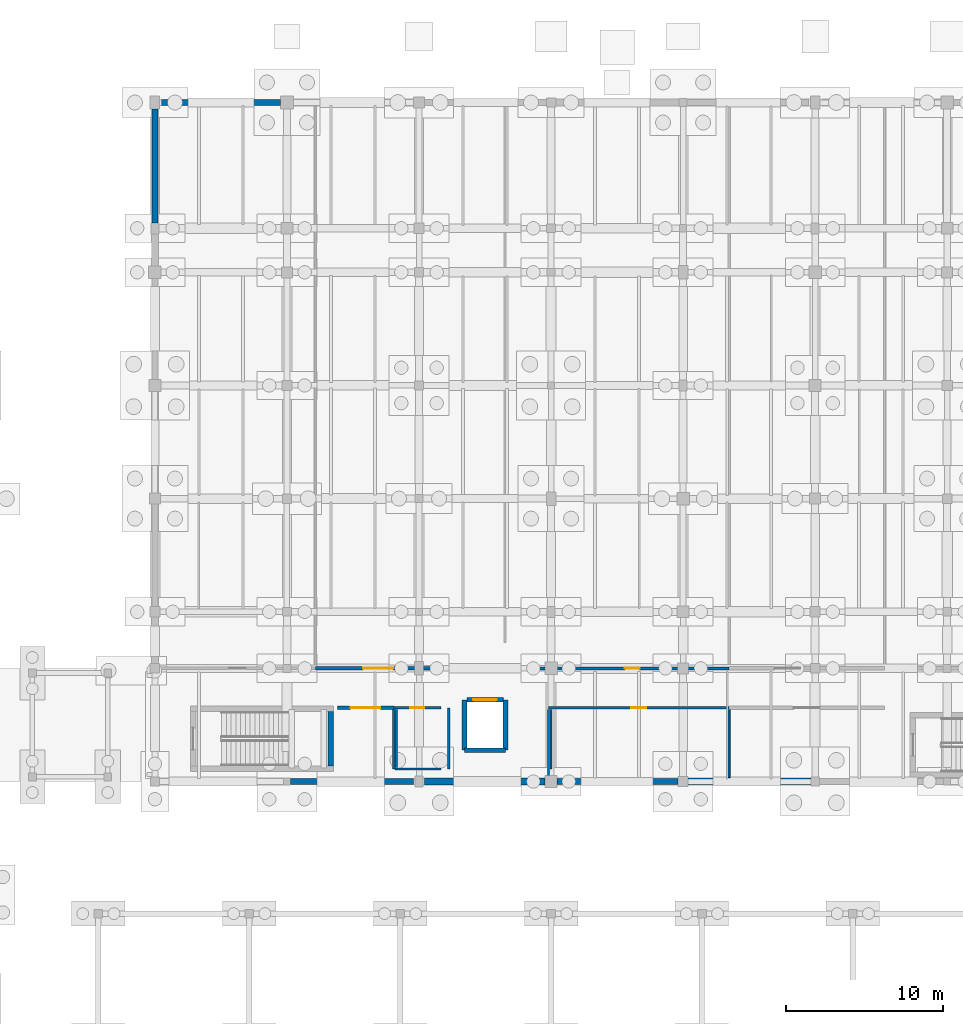
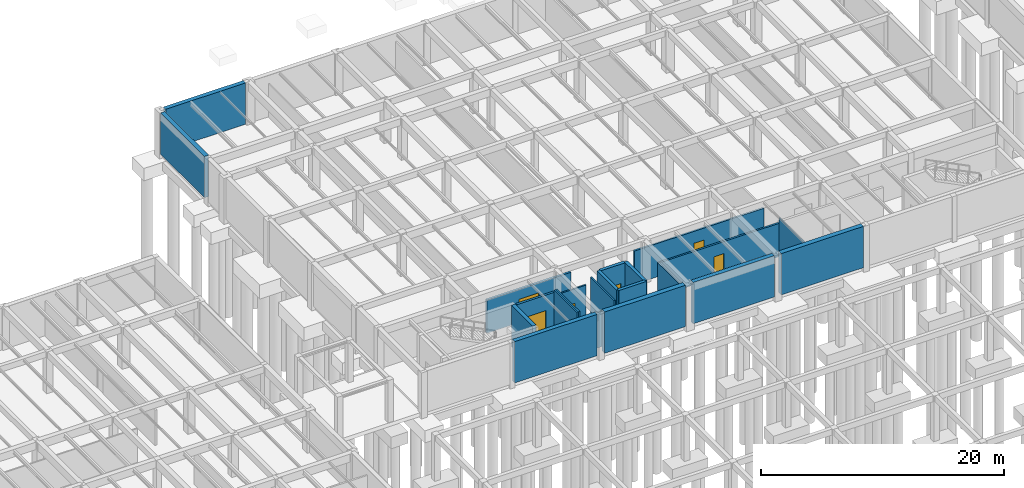
# One storey, part 45 of 63: 23 walls, 6 doors, 6 openings.
"""IFC4 building model written with IfcOpenShell, lengths in metres."""

from ifc_helpers import new_model, si_unit, direction, frame, frame_2d, origin, place, context, subcontext, project, spatial, rectangle, extrude, material, layer, layer_set, type_object, element, fill, save


model = new_model("IFC4")

# Units and contexts
model_context = context("Model", 3, precision=1e-05, world=origin(), true_north=direction((0.0, 1.0)))
body_context = subcontext(model_context, "Body", "Model", "MODEL_VIEW")
ifc_project = project(units=[si_unit("LENGTHUNIT", "METRE"), si_unit("AREAUNIT", "SQUARE_METRE"), si_unit("VOLUMEUNIT", "CUBIC_METRE"), si_unit("PLANEANGLEUNIT", "RADIAN"), si_unit("MASSUNIT", "GRAM", prefix="KILO")], contexts=[model_context])

# Site, building, storey
site_placement = place(None, origin())
site = spatial("IfcSite", under=ifc_project, at=site_placement, CompositionType="ELEMENT")
building_placement = place(site_placement, origin())
building = spatial("IfcBuilding", under=site, at=building_placement, Name="Mazaris Harbour Polytechnic", CompositionType="ELEMENT")
storey_placement = place(building_placement, frame((0.0, 0.0, -4.5)))
storey = spatial("IfcBuildingStorey", under=building, at=storey_placement, Name="B1", CompositionType="ELEMENT", Elevation=-4.5)

# Walls
ifc_material_1 = material(Name="Gypsum Board and Mineral Wool")
ifc_layer_1 = layer(ifc_material_1, 0.1201171875, Name="Gypsum Board and Mineral Wool")
ifc_layer_set_1 = layer_set([ifc_layer_1], Name="Gypsum Board and Mineral Wool")
wall_type_1 = type_object("IfcWallType", Name="Acoustic Stud Partition 120", PredefinedType="PARTITIONING", material=ifc_layer_set_1)
wall_1_placement = place(storey_placement, frame((90.527099609375, 75.85009765625, 0.0), z_axis=(0.0, 0.0, 1.0), x_axis=(0.0, 1.0, 0.0)))
element("IfcWall", 1, at=wall_1_placement, inside=storey, type_object=wall_type_1, Name="V1 B1 Partition 9", PredefinedType="PARTITIONING", context=body_context, shape_type="SweptSolid", body=[
    extrude(rectangle(XDim=4.329833984375, YDim=0.1201171875, at=frame_2d((2.1650390625, 0.0))), origin(), (0.0, 0.0, 1.0), 3.949951171875),
])
ifc_material_2 = material(Name="Double Gypsum and Mineral Wool")
ifc_layer_2 = layer(ifc_material_2, 0.14990234375, Name="Double Gypsum and Mineral Wool")
ifc_layer_set_2 = layer_set([ifc_layer_2], Name="Double Gypsum and Mineral Wool")
wall_type_2 = type_object("IfcWallType", Name="Classroom Acoustic Partition 150", PredefinedType="PARTITIONING", material=ifc_layer_set_2)
wall_2_placement = place(storey_placement, frame((69.360107421875, 76.482421875, 0.0), z_axis=(0.0, 0.0, 1.0), x_axis=(0.0, 1.0, 0.0)))
element("IfcWall", 2, at=wall_2_placement, inside=storey, type_object=wall_type_2, Name="V1 B1 Partition 6", PredefinedType="PARTITIONING", context=body_context, shape_type="SweptSolid", body=[
    extrude(rectangle(XDim=3.697509765625, YDim=0.14990234375, at=frame_2d((1.8486328125, 0.0))), origin(), (0.0, 0.0, 1.0), 4.14990234375),
])
wall_3_placement = place(storey_placement, frame((79.0400390625, 75.85009765625, 0.0), z_axis=(0.0, 0.0, 1.0), x_axis=(0.0, 1.0, 0.0)))
element("IfcWall", 3, at=wall_3_placement, inside=storey, type_object=wall_type_2, Name="V1 B1 Partition 8", PredefinedType="PARTITIONING", context=body_context, shape_type="SweptSolid", body=[
    extrude(rectangle(XDim=4.329833984375, YDim=0.14990234375, at=frame_2d((2.1650390625, 0.0))), origin(), (0.0, 0.0, 1.0), 3.449951171875),
])

# Wall, opening, door
ifc_material_3 = material(Name="Terracotta Block and Plaster", Category="masonry")
ifc_layer_3 = layer(ifc_material_3, 0.179931640625, Name="Terracotta Block and Plaster")
ifc_layer_set_3 = layer_set([ifc_layer_3], Name="Terracotta Block and Plaster")
wall_type_3 = type_object("IfcWallType", Name="Corridor Fire Partition 180", PredefinedType="PARTITIONING", material=ifc_layer_set_3)
wall_4_placement = place(storey_placement, frame((79.0400390625, 80.300048828125, 0.0), z_axis=(0.0, 0.0, 1.0), x_axis=(1.0, 0.0, 0.0)))
wall_4 = element("IfcWall", 4, at=wall_4_placement, inside=storey, type_object=wall_type_3, Name="V1 B1 Partition 7", PredefinedType="PARTITIONING", context=body_context, shape_type="SweptSolid", body=[
    extrude(rectangle(XDim=11.487060546875, YDim=0.179931640625, at=frame_2d((5.74365234375, 0.0))), origin(), (0.0, 0.0, 1.0), 3.35009765625),
])
opening_1_placement = place(wall_4_placement, frame((5.263427734375, 0.0, 0.0)))
opening_1 = element("IfcOpeningElement", 5, at=opening_1_placement, cuts=wall_4, Name="Opening ID-01R", PredefinedType="OPENING", context=body_context, shape_type="SweptSolid", body=[
    extrude(rectangle(XDim=0.9599609375, YDim=2.14990234375, at=frame_2d((0.47998046875, 1.074951171875))), frame((0.0, 0.099853515625, 0.0), z_axis=(0.0, -1.0, 0.0), x_axis=(1.0, 0.0, 0.0)), (0.0, 0.0, 1.0), 0.199951171875),
])
ifc_material_4 = material(Name="Solid Oak Timber", Category="wood")
door_type_1 = type_object("IfcDoorType", Name="Classroom Single Door RH 960x2150", OperationType="SINGLE_SWING_RIGHT", PredefinedType="DOOR", material=ifc_material_4)
door_1_placement = place(opening_1_placement, origin())
door_1 = element("IfcDoor", 6, at=door_1_placement, inside=storey, type_object=door_type_1, Name="ID-0003", OperationType="SINGLE_SWING_RIGHT", OverallHeight=2.14990234375, OverallWidth=0.9599609375, PredefinedType="DOOR", context=body_context, shape_type="SweptSolid", body=[
    extrude(rectangle(XDim=0.9599609375, YDim=2.14990234375, at=frame_2d((0.47998046875, 1.074951171875))), frame((0.0, 0.02490234375, 0.0), z_axis=(0.0, -1.0, 0.0), x_axis=(1.0, 0.0, 0.0)), (0.0, 0.0, 1.0), 0.050048828125),
])
fill(opening_1, door_1)

wall_5_placement = place(storey_placement, frame((78.205078125, 82.800048828125, 0.0), z_axis=(0.0, 0.0, 1.0), x_axis=(1.0, 0.0, 0.0)))
wall_5 = element("IfcWall", 7, at=wall_5_placement, inside=storey, type_object=wall_type_3, Name="V1 B1 Partition 15", PredefinedType="PARTITIONING", context=body_context, shape_type="SweptSolid", body=[
    extrude(rectangle(XDim=12.322021484375, YDim=0.179931640625, at=frame_2d((6.1611328125, 0.0))), origin(), (0.0, 0.0, 1.0), 3.35009765625),
])
opening_2_placement = place(wall_5_placement, frame((5.68603515625, 0.0, 0.0)))
opening_2 = element("IfcOpeningElement", 8, at=opening_2_placement, cuts=wall_5, Name="Opening ID-01L", PredefinedType="OPENING", context=body_context, shape_type="SweptSolid", body=[
    extrude(rectangle(XDim=0.949951171875, YDim=2.14990234375, at=frame_2d((0.47509765625, 1.074951171875))), frame((0.0, 0.099853515625, 0.0), z_axis=(0.0, -1.0, 0.0), x_axis=(1.0, 0.0, 0.0)), (0.0, 0.0, 1.0), 0.199951171875),
])
ifc_material_5 = material(Name="Solid Oak Timber", Category="wood")
door_type_2 = type_object("IfcDoorType", Name="Classroom Single Door LH 950x2150", OperationType="SINGLE_SWING_LEFT", PredefinedType="DOOR", material=ifc_material_5)
door_2_placement = place(opening_2_placement, origin())
door_2 = element("IfcDoor", 9, at=door_2_placement, inside=storey, type_object=door_type_2, Name="ID-0007", OperationType="SINGLE_SWING_LEFT", OverallHeight=2.14990234375, OverallWidth=0.949951171875, PredefinedType="DOOR", context=body_context, shape_type="SweptSolid", body=[
    extrude(rectangle(XDim=0.949951171875, YDim=2.14990234375, at=frame_2d((0.47509765625, 1.074951171875))), frame((0.0, 0.02490234375, 0.0), z_axis=(0.0, -1.0, 0.0), x_axis=(1.0, 0.0, 0.0)), (0.0, 0.0, 1.0), 0.050048828125),
])
fill(opening_2, door_2)

# Walls
ifc_material_6 = material(Name="Concrete C35/45", Category="concrete")
ifc_layer_4 = layer(ifc_material_6, 0.39990234375, Name="Concrete C35/45")
ifc_layer_set_4 = layer_set([ifc_layer_4], Name="Concrete C35/45")
wall_type_4 = type_object("IfcWallType", Name="RC Basement Retaining Wall 400", PredefinedType="USERDEFINED", material=ifc_layer_set_4)
wall_6_placement = place(storey_placement, frame((62.625, 75.60009765625, 0.0), z_axis=(0.0, 0.0, 1.0), x_axis=(1.0, 0.0, 0.0)))
element("IfcWall", 10, at=wall_6_placement, inside=storey, type_object=wall_type_4, Name="V1 B1 Retaining Wall 2", ObjectType="RETAINING WALL", PredefinedType="USERDEFINED", context=body_context, shape_type="SweptSolid", body=[
    extrude(rectangle(XDim=7.824951171875, YDim=0.39990234375, at=frame_2d((3.91259765625, 0.0))), origin(), (0.0, 0.0, 1.0), 4.14990234375),
])
wall_7_placement = place(storey_placement, frame((79.574951171875, 75.60009765625, 0.0), z_axis=(0.0, 0.0, 1.0), x_axis=(1.0, 0.0, 0.0)))
element("IfcWall", 11, at=wall_7_placement, inside=storey, type_object=wall_type_4, Name="V1 B1 Retaining Wall 4", ObjectType="RETAINING WALL", PredefinedType="USERDEFINED", context=body_context, shape_type="SweptSolid", body=[
    extrude(rectangle(XDim=7.699951171875, YDim=0.39990234375, at=frame_2d((3.85009765625, 0.0))), origin(), (0.0, 0.0, 1.0), 4.14990234375),
])
wall_8_placement = place(storey_placement, frame((54.425048828125, 118.800048828125, 0.0), z_axis=(0.0, 0.0, 1.0), x_axis=(1.0, 0.0, 0.0)))
element("IfcWall", 12, at=wall_8_placement, inside=storey, type_object=wall_type_4, Name="V1 B1 Retaining Wall 8", ObjectType="RETAINING WALL", PredefinedType="USERDEFINED", context=body_context, shape_type="SweptSolid", body=[
    extrude(rectangle(XDim=7.574951171875, YDim=0.39990234375, at=frame_2d((3.78759765625, 0.0))), origin(), (0.0, 0.0, 1.0), 4.14990234375),
])
wall_9_placement = place(storey_placement, frame((54.0, 111.14990234375, 0.0), z_axis=(0.0, 0.0, 1.0), x_axis=(0.0, 1.0, 0.0)))
element("IfcWall", 13, at=wall_9_placement, inside=storey, type_object=wall_type_4, Name="V1 B1 Retaining Wall 20", ObjectType="RETAINING WALL", PredefinedType="USERDEFINED", context=body_context, shape_type="SweptSolid", body=[
    extrude(rectangle(XDim=7.22509765625, YDim=0.39990234375, at=frame_2d((3.612548828125, 0.0))), origin(), (0.0, 0.0, 1.0), 4.14990234375),
])
ifc_material_7 = material(Name="Concrete C35/45", Category="concrete")
ifc_layer_5 = layer(ifc_material_7, 0.449951171875, Name="Concrete C35/45")
ifc_layer_set_5 = layer_set([ifc_layer_5], Name="Concrete C35/45")
wall_type_5 = type_object("IfcWallType", Name="RC Basement Retaining Wall 450", PredefinedType="USERDEFINED", material=ifc_layer_set_5)
wall_10_placement = place(storey_placement, frame((71.14990234375, 75.60009765625, 0.0), z_axis=(0.0, 0.0, 1.0), x_axis=(1.0, 0.0, 0.0)))
element("IfcWall", 14, at=wall_10_placement, inside=storey, type_object=wall_type_5, Name="V1 B1 Retaining Wall 3", ObjectType="RETAINING WALL", PredefinedType="USERDEFINED", context=body_context, shape_type="SweptSolid", body=[
    extrude(rectangle(XDim=7.675048828125, YDim=0.449951171875, at=frame_2d((3.83740234375, 0.0))), origin(), (0.0, 0.0, 1.0), 4.14990234375),
])
wall_11_placement = place(storey_placement, frame((87.925048828125, 75.60009765625, 0.0), z_axis=(0.0, 0.0, 1.0), x_axis=(1.0, 0.0, 0.0)))
element("IfcWall", 15, at=wall_11_placement, inside=storey, type_object=wall_type_5, Name="V1 B1 Retaining Wall 5", ObjectType="RETAINING WALL", PredefinedType="USERDEFINED", context=body_context, shape_type="SweptSolid", body=[
    extrude(rectangle(XDim=7.800048828125, YDim=0.449951171875, at=frame_2d((3.89990234375, 0.0))), origin(), (0.0, 0.0, 1.0), 4.14990234375),
])
ifc_material_8 = material(Name="Concrete C40/50", Category="concrete")
ifc_layer_6 = layer(ifc_material_8, 0.35009765625, Name="Concrete C40/50")
ifc_layer_set_6 = layer_set([ifc_layer_6], Name="Concrete C40/50")
wall_type_6 = type_object("IfcWallType", Name="RC Core Shear Wall 350", PredefinedType="SHEAR", material=ifc_layer_set_6)
wall_12_placement = place(storey_placement, frame((65.175048828125, 76.60009765625, 0.0), z_axis=(0.0, 0.0, 1.0), x_axis=(0.0, 1.0, 0.0)))
element("IfcWall", 16, at=wall_12_placement, inside=storey, type_object=wall_type_6, Name="Core ST01 B1 Shear Wall E", PredefinedType="SHEAR", context=body_context, shape_type="SweptSolid", body=[
    extrude(rectangle(XDim=3.449951171875, YDim=0.35009765625, at=frame_2d((1.72509765625, 0.0))), origin(), (0.0, 0.0, 1.0), 4.14990234375),
])
ifc_material_9 = material(Name="Concrete C40/50", Category="concrete")
ifc_layer_7 = layer(ifc_material_9, 0.300048828125, Name="Concrete C40/50")
ifc_layer_set_7 = layer_set([ifc_layer_7], Name="Concrete C40/50")
wall_type_7 = type_object("IfcWallType", Name="RC Lift Shaft Wall 300", PredefinedType="SHEAR", material=ifc_layer_set_7)
wall_13_placement = place(storey_placement, frame((73.699951171875, 77.60009765625, 0.0), z_axis=(0.0, 0.0, 1.0), x_axis=(1.0, 0.0, 0.0)))
element("IfcWall", 17, at=wall_13_placement, inside=storey, type_object=wall_type_7, Name="Lift LG-01 B1 South Shaft Wall", PredefinedType="SHEAR", context=body_context, shape_type="SweptSolid", body=[
    extrude(rectangle(XDim=2.60009765625, YDim=0.300048828125, at=frame_2d((1.300048828125, 0.0))), origin(), (0.0, 0.0, 1.0), 4.14990234375),
])
for number, where, z_axis, x_axis, name in (
    (18, (73.699951171875, 80.800048828125, 0.0), (0.0, 0.0, 1.0), (0.0, -1.0, 0.0), "Lift LG-01 B1 West Shaft Wall"),
    (19, (76.300048828125, 77.60009765625, 0.0), (0.0, 0.0, 1.0), (0.0, 1.0, 0.0), "Lift LG-01 B1 East Shaft Wall"),
):
    element("IfcWall", number, at=place(storey_placement, frame(where, z_axis=z_axis, x_axis=x_axis)), inside=storey, type_object=wall_type_7, Name=name, PredefinedType="SHEAR", context=body_context, shape_type="SweptSolid", body=[
        extrude(rectangle(XDim=3.199951171875, YDim=0.300048828125, at=frame_2d((1.60009765625, 0.0))), origin(), (0.0, 0.0, 1.0), 4.14990234375),
    ])

# Wall, opening, door
wall_14_placement = place(storey_placement, frame((73.840087890625, 80.800048828125, 0.0), z_axis=(0.0, 0.0, 1.0), x_axis=(1.0, 0.0, 0.0)))
wall_14 = element("IfcWall", 20, at=wall_14_placement, inside=storey, type_object=wall_type_7, Name="Lift LG-01 B1 Front Shaft Wall", PredefinedType="SHEAR", context=body_context, shape_type="SweptSolid", body=[
    extrude(rectangle(XDim=2.31982421875, YDim=0.300048828125, at=frame_2d((1.159912109375, 0.0))), origin(), (0.0, 0.0, 1.0), 4.14990234375),
])
opening_3_placement = place(wall_14_placement, frame((0.409912109375, 0.0, 0.0)))
opening_3 = element("IfcOpeningElement", 21, at=opening_3_placement, cuts=wall_14, Name="Opening LD-03", PredefinedType="OPENING", context=body_context, shape_type="SweptSolid", body=[
    extrude(rectangle(XDim=1.5, YDim=2.199951171875, at=frame_2d((0.75, 1.10009765625))), frame((0.0, 0.159912109375, 0.0), z_axis=(0.0, -1.0, 0.0), x_axis=(1.0, 0.0, 0.0)), (0.0, 0.0, 1.0), 0.320068359375),
])
ifc_material_10 = material(Name="Stainless Steel S355", Category="steel")
door_type_3 = type_object("IfcDoorType", Name="Sliding Goods Lift Landing Door 1500x2200", OperationType="SLIDING_TO_LEFT", PredefinedType="DOOR", material=ifc_material_10)
door_3_placement = place(opening_3_placement, origin())
door_3 = element("IfcDoor", 22, at=door_3_placement, inside=storey, type_object=door_type_3, Name="LD-036", OperationType="SLIDING_TO_LEFT", OverallHeight=2.199951171875, OverallWidth=1.5, PredefinedType="DOOR", context=body_context, shape_type="SweptSolid", body=[
    extrude(rectangle(XDim=1.5, YDim=2.199951171875, at=frame_2d((0.75, 1.10009765625))), frame((0.0, 0.02490234375, 0.0), z_axis=(0.0, -1.0, 0.0), x_axis=(1.0, 0.0, 0.0)), (0.0, 0.0, 1.0), 0.050048828125),
])
fill(opening_3, door_3)

ifc_material_11 = material(Name="Moisture-Resistant Gypsum and Steel Stud", Category="steel")
ifc_layer_8 = layer(ifc_material_11, 0.14501953125, Name="Moisture-Resistant Gypsum and Steel Stud")
ifc_layer_set_8 = layer_set([ifc_layer_8], Name="Moisture-Resistant Gypsum and Steel Stud")
wall_type_8 = type_object("IfcWallType", Name="Sanitary Plumbing Wall 145", PredefinedType="PLUMBINGWALL", material=ifc_layer_set_8)
wall_15_placement = place(storey_placement, frame((69.199951171875, 80.300048828125, 0.0), z_axis=(0.0, 0.0, 1.0), x_axis=(1.0, 0.0, 0.0)))
wall_15 = element("IfcWall", 23, at=wall_15_placement, inside=storey, type_object=wall_type_8, Name="V1 B1 Partition 1", PredefinedType="PLUMBINGWALL", context=body_context, shape_type="SweptSolid", body=[
    extrude(rectangle(XDim=2.9951171875, YDim=0.14501953125, at=frame_2d((1.49755859375, 0.0))), origin(), (0.0, 0.0, 1.0), 3.550048828125),
])
opening_4_placement = place(wall_15_placement, frame((1.047607421875, 0.0, 0.0)))
opening_4 = element("IfcOpeningElement", 24, at=opening_4_placement, cuts=wall_15, Name="Opening ID-07R", PredefinedType="OPENING", context=body_context, shape_type="SweptSolid", body=[
    extrude(rectangle(XDim=0.89990234375, YDim=2.10009765625, at=frame_2d((0.449951171875, 1.050048828125))), frame((0.0, 0.08251953125, 0.0), z_axis=(0.0, -1.0, 0.0), x_axis=(1.0, 0.0, 0.0)), (0.0, 0.0, 1.0), 0.1650390625),
])
ifc_material_12 = material(Name="Moisture-Resistant Laminate Timber", Category="wood")
door_type_4 = type_object("IfcDoorType", Name="Sanitary Room Door RH 900x2100", OperationType="SINGLE_SWING_RIGHT", PredefinedType="DOOR", material=ifc_material_12)
door_4_placement = place(opening_4_placement, origin())
door_4 = element("IfcDoor", 25, at=door_4_placement, inside=storey, type_object=door_type_4, Name="ID-0001", OperationType="SINGLE_SWING_RIGHT", OverallHeight=2.10009765625, OverallWidth=0.89990234375, PredefinedType="DOOR", context=body_context, shape_type="SweptSolid", body=[
    extrude(rectangle(XDim=0.89990234375, YDim=2.10009765625, at=frame_2d((0.449951171875, 1.050048828125))), frame((0.0, 0.02490234375, 0.0), z_axis=(0.0, -1.0, 0.0), x_axis=(1.0, 0.0, 0.0)), (0.0, 0.0, 1.0), 0.050048828125),
])
fill(opening_4, door_4)

# Walls
wall_16_placement = place(storey_placement, frame((69.199951171875, 76.39990234375, 0.0), z_axis=(0.0, 0.0, 1.0), x_axis=(0.0, 1.0, 0.0)))
element("IfcWall", 26, at=wall_16_placement, inside=storey, type_object=wall_type_8, Name="V1 B1 Partition 2", PredefinedType="PLUMBINGWALL", context=body_context, shape_type="SweptSolid", body=[
    extrude(rectangle(XDim=3.780029296875, YDim=0.14501953125, at=frame_2d((1.89013671875, 0.0))), origin(), (0.0, 0.0, 1.0), 4.14990234375),
])
wall_17_placement = place(storey_placement, frame((69.282470703125, 76.39990234375, 0.0), z_axis=(0.0, 0.0, 1.0), x_axis=(1.0, 0.0, 0.0)))
element("IfcWall", 27, at=wall_17_placement, inside=storey, type_object=wall_type_8, Name="V1 B1 Partition 3", PredefinedType="PLUMBINGWALL", context=body_context, shape_type="SweptSolid", body=[
    extrude(rectangle(XDim=2.91259765625, YDim=0.14501953125, at=frame_2d((1.456298828125, 0.0))), origin(), (0.0, 0.0, 1.0), 3.550048828125),
])
wall_18_placement = place(storey_placement, frame((79.199951171875, 76.39990234375, 0.0), z_axis=(0.0, 0.0, 1.0), x_axis=(0.0, 1.0, 0.0)))
element("IfcWall", 28, at=wall_18_placement, inside=storey, type_object=wall_type_8, Name="V1 B1 Partition 4", PredefinedType="PLUMBINGWALL", context=body_context, shape_type="SweptSolid", body=[
    extrude(rectangle(XDim=3.780029296875, YDim=0.14501953125, at=frame_2d((1.89013671875, 0.0))), origin(), (0.0, 0.0, 1.0), 3.449951171875),
])
wall_19_placement = place(storey_placement, frame((72.695068359375, 76.405029296875, 0.0), z_axis=(0.0, 0.0, 1.0), x_axis=(0.0, 1.0, 0.0)))
element("IfcWall", 29, at=wall_19_placement, inside=storey, type_object=wall_type_8, Name="V1 B1 Sanitary Partition 694", PredefinedType="PLUMBINGWALL", context=body_context, shape_type="SweptSolid", body=[
    extrude(rectangle(XDim=3.889892578125, YDim=0.14501953125, at=frame_2d((1.94482421875, 0.0))), origin(), (0.0, 0.0, 1.0), 4.14990234375),
])

# Wall, opening, door
ifc_material_13 = material(Name="Concrete Masonry C30/37", Category="masonry")
ifc_layer_9 = layer(ifc_material_13, 0.2099609375, Name="Concrete Masonry C30/37")
ifc_layer_set_9 = layer_set([ifc_layer_9], Name="Concrete Masonry C30/37")
wall_type_9 = type_object("IfcWallType", Name="Workshop Compartment Wall 210", PredefinedType="STANDARD", material=ifc_layer_set_9)
wall_20_placement = place(storey_placement, frame((65.60498046875, 80.300048828125, 0.0), z_axis=(0.0, 0.0, 1.0), x_axis=(1.0, 0.0, 0.0)))
wall_20 = element("IfcWall", 30, at=wall_20_placement, inside=storey, type_object=wall_type_9, Name="V1 B1 Partition 5", PredefinedType="STANDARD", context=body_context, shape_type="SweptSolid", body=[
    extrude(rectangle(XDim=3.590087890625, YDim=0.2099609375, at=frame_2d((1.794921875, 0.0))), origin(), (0.0, 0.0, 1.0), 3.909912109375),
])
opening_5_placement = place(wall_20_placement, frame((0.844970703125, 0.0, 0.0)))
opening_5 = element("IfcOpeningElement", 31, at=opening_5_placement, cuts=wall_20, Name="Opening ID-05D", PredefinedType="OPENING", context=body_context, shape_type="SweptSolid", body=[
    extrude(rectangle(XDim=1.89990234375, YDim=2.35009765625, at=frame_2d((0.949951171875, 1.175048828125))), frame((0.0, 0.114990234375, 0.0), z_axis=(0.0, -1.0, 0.0), x_axis=(1.0, 0.0, 0.0)), (0.0, 0.0, 1.0), 0.22998046875),
])
ifc_material_14 = material(Name="Galvanised Steel S355", Category="steel")
door_type_5 = type_object("IfcDoorType", Name="Workshop Heavy Double Door 1900x2350", OperationType="DOUBLE_DOOR_SINGLE_SWING", PredefinedType="DOOR", material=ifc_material_14)
door_5_placement = place(opening_5_placement, origin())
door_5 = element("IfcDoor", 32, at=door_5_placement, inside=storey, type_object=door_type_5, Name="ID-0002", OperationType="DOUBLE_DOOR_SINGLE_SWING", OverallHeight=2.35009765625, OverallWidth=1.89990234375, PredefinedType="DOOR", context=body_context, shape_type="SweptSolid", body=[
    extrude(rectangle(XDim=1.89990234375, YDim=2.35009765625, at=frame_2d((0.949951171875, 1.175048828125))), frame((0.0, 0.02490234375, 0.0), z_axis=(0.0, -1.0, 0.0), x_axis=(1.0, 0.0, 0.0)), (0.0, 0.0, 1.0), 0.050048828125),
])
fill(opening_5, door_5)

wall_21_placement = place(storey_placement, frame((64.202880859375, 82.800048828125, 0.0), z_axis=(0.0, 0.0, 1.0), x_axis=(1.0, 0.0, 0.0)))
wall_21 = element("IfcWall", 33, at=wall_21_placement, inside=storey, type_object=wall_type_9, Name="V1 B1 Partition 13", PredefinedType="STANDARD", context=body_context, shape_type="SweptSolid", body=[
    extrude(rectangle(XDim=7.9921875, YDim=0.2099609375, at=frame_2d((3.99609375, 0.0))), origin(), (0.0, 0.0, 1.0), 3.35009765625),
])
opening_6_placement = place(wall_21_placement, frame((3.0458984375, 0.0, 0.0)))
opening_6 = element("IfcOpeningElement", 34, at=opening_6_placement, cuts=wall_21, Name="Opening ID-05D", PredefinedType="OPENING", context=body_context, shape_type="SweptSolid", body=[
    extrude(rectangle(XDim=1.89990234375, YDim=2.35009765625, at=frame_2d((0.949951171875, 1.175048828125))), frame((0.0, 0.114990234375, 0.0), z_axis=(0.0, -1.0, 0.0), x_axis=(1.0, 0.0, 0.0)), (0.0, 0.0, 1.0), 0.22998046875),
])
door_6_placement = place(opening_6_placement, origin())
door_6 = element("IfcDoor", 35, at=door_6_placement, inside=storey, type_object=door_type_5, Name="ID-0006", OperationType="DOUBLE_DOOR_SINGLE_SWING", OverallHeight=2.35009765625, OverallWidth=1.89990234375, PredefinedType="DOOR", context=body_context, shape_type="SweptSolid", body=[
    extrude(rectangle(XDim=1.89990234375, YDim=2.35009765625, at=frame_2d((0.949951171875, 1.175048828125))), frame((0.0, 0.02490234375, 0.0), z_axis=(0.0, -1.0, 0.0), x_axis=(1.0, 0.0, 0.0)), (0.0, 0.0, 1.0), 0.050048828125),
])
fill(opening_6, door_6)

save(model, "model.ifc")
